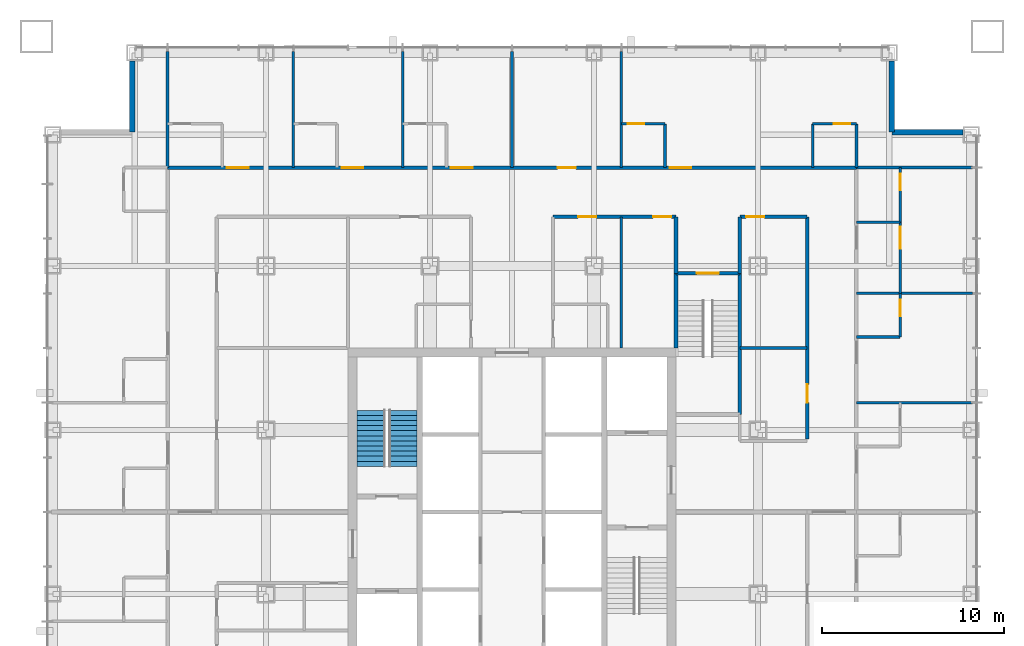
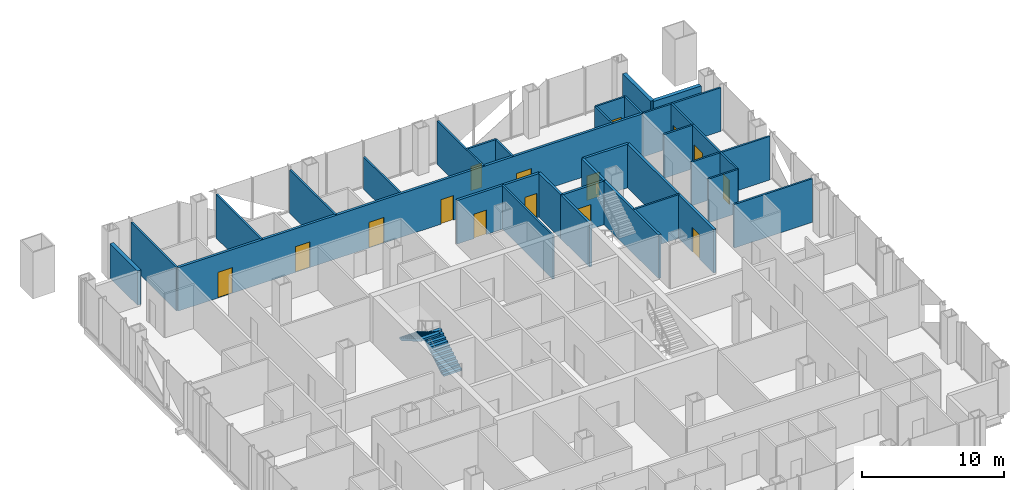
# One storey, part 11 of 17: 32 walls, 15 doors, 2 stair flights, 15 openings, 1 element without a shape of its own.
"""IFC4 building model written with IfcOpenShell, lengths in metres."""

from ifc_helpers import new_model, si_unit, direction, frame, frame_2d, origin, place, context, subcontext, project, spatial, polyline, rectangle, outline, extrude, material, layer, layer_set, type_object, element, fill, aggregate, save


model = new_model("IFC4")

# Units and contexts
model_context = context("Model", 3, precision=1e-05, world=origin(), true_north=direction((0.0, 1.0)))
body_context = subcontext(model_context, "Body", "Model", "MODEL_VIEW")
ifc_project = project(units=[si_unit("LENGTHUNIT", "METRE"), si_unit("AREAUNIT", "SQUARE_METRE"), si_unit("VOLUMEUNIT", "CUBIC_METRE"), si_unit("PLANEANGLEUNIT", "RADIAN"), si_unit("MASSUNIT", "GRAM", prefix="KILO")], contexts=[model_context])

# Site, building, storey
site_placement = place(None, origin())
site = spatial("IfcSite", under=ifc_project, at=site_placement, CompositionType="ELEMENT")
building_placement = place(site_placement, origin())
building = spatial("IfcBuilding", under=site, at=building_placement, Name="Malebo Sky Hospital", CompositionType="ELEMENT")
storey_placement = place(building_placement, frame((0.0, 0.0, 51.0)))
storey = spatial("IfcBuildingStorey", under=building, at=storey_placement, Name="L11", CompositionType="ELEMENT", Elevation=51.0)

# Wall, openings, doors
ifc_material_1 = material(Name="Gypsum board on steel studs", Category="steel")
ifc_layer_1 = layer(ifc_material_1, 0.199951171875)
ifc_layer_set_1 = layer_set([ifc_layer_1], Name="CORRIDOR WALL 200")
wall_type_1 = type_object("IfcWallType", Name="CORRIDOR WALL 200", PredefinedType="PARTITIONING", material=ifc_layer_set_1)
wall_1_placement = place(storey_placement, frame((41.10009765625, 80.89990234375, 0.0), z_axis=(0.0, 0.0, 1.0), x_axis=(1.0, 0.0, 0.0)))
wall_1 = element("IfcWall", 1, at=wall_1_placement, inside=storey, type_object=wall_type_1, Name="Corridor Wall 200 NCO", PredefinedType="PARTITIONING", context=body_context, shape_type="SweptSolid", body=[
    extrude(rectangle(XDim=37.7998046875, YDim=0.199951171875, at=frame_2d((18.89990234375, 0.0))), origin(), (0.0, 0.0, 1.0), 3.75),
])
opening_1_placement = place(wall_1_placement, frame((3.25, 0.0, 0.0)))
opening_1 = element("IfcOpeningElement", 2, at=opening_1_placement, cuts=wall_1, Name="Opening D01", PredefinedType="OPENING", context=body_context, shape_type="SweptSolid", body=[
    extrude(rectangle(XDim=1.199951171875, YDim=2.199951171875, at=frame_2d((0.60009765625, 1.10009765625))), frame((0.0, 0.10986328125, 0.0), z_axis=(0.0, -1.0, 0.0), x_axis=(1.0, 0.0, 0.0)), (0.0, 0.0, 1.0), 0.219970703125),
])
opening_2_placement = place(wall_1_placement, frame((9.550048828125, 0.0, 0.0)))
opening_2 = element("IfcOpeningElement", 3, at=opening_2_placement, cuts=wall_1, Name="Opening D01", PredefinedType="OPENING", context=body_context, shape_type="SweptSolid", body=[
    extrude(rectangle(XDim=1.199951171875, YDim=2.199951171875, at=frame_2d((0.60009765625, 1.10009765625))), frame((0.0, 0.10986328125, 0.0), z_axis=(0.0, -1.0, 0.0), x_axis=(1.0, 0.0, 0.0)), (0.0, 0.0, 1.0), 0.219970703125),
])
opening_3_placement = place(wall_1_placement, frame((15.550048828125, 0.0, 0.0)))
opening_3 = element("IfcOpeningElement", 4, at=opening_3_placement, cuts=wall_1, Name="Opening D01", PredefinedType="OPENING", context=body_context, shape_type="SweptSolid", body=[
    extrude(rectangle(XDim=1.199951171875, YDim=2.199951171875, at=frame_2d((0.60009765625, 1.10009765625))), frame((0.0, 0.10986328125, 0.0), z_axis=(0.0, -1.0, 0.0), x_axis=(1.0, 0.0, 0.0)), (0.0, 0.0, 1.0), 0.219970703125),
])
opening_4_placement = place(wall_1_placement, frame((21.39990234375, 0.0, 0.0)))
opening_4 = element("IfcOpeningElement", 5, at=opening_4_placement, cuts=wall_1, Name="Opening D03", PredefinedType="OPENING", context=body_context, shape_type="SweptSolid", body=[
    extrude(rectangle(XDim=1.0, YDim=2.10009765625, at=frame_2d((0.5, 1.050048828125))), frame((0.0, 0.10986328125, 0.0), z_axis=(0.0, -1.0, 0.0), x_axis=(1.0, 0.0, 0.0)), (0.0, 0.0, 1.0), 0.219970703125),
])
opening_5_placement = place(wall_1_placement, frame((27.550048828125, 0.0, 0.0)))
opening_5 = element("IfcOpeningElement", 6, at=opening_5_placement, cuts=wall_1, Name="Opening D01", PredefinedType="OPENING", context=body_context, shape_type="SweptSolid", body=[
    extrude(rectangle(XDim=1.199951171875, YDim=2.199951171875, at=frame_2d((0.60009765625, 1.10009765625))), frame((0.0, 0.10986328125, 0.0), z_axis=(0.0, -1.0, 0.0), x_axis=(1.0, 0.0, 0.0)), (0.0, 0.0, 1.0), 0.219970703125),
])
ifc_material_2 = material(Name="Hardwood-faced door leaf in steel frame", Category="steel")
door_type_1 = type_object("IfcDoorType", Name="BED DOOR 1200", OperationType="SINGLE_SWING_LEFT", PredefinedType="DOOR", material=ifc_material_2)
door_1_placement = place(opening_1_placement, origin())
door_1 = element("IfcDoor", 7, at=door_1_placement, inside=storey, type_object=door_type_1, Name="Two-bed room door", OperationType="SINGLE_SWING_LEFT", OverallHeight=2.199951171875, OverallWidth=1.199951171875, PredefinedType="DOOR", context=body_context, shape_type="SweptSolid", body=[
    extrude(rectangle(XDim=1.199951171875, YDim=2.199951171875, at=frame_2d((0.60009765625, 1.10009765625))), frame((0.0, 0.02490234375, 0.0), z_axis=(0.0, -1.0, 0.0), x_axis=(1.0, 0.0, 0.0)), (0.0, 0.0, 1.0), 0.050048828125),
])
fill(opening_1, door_1)
door_2_placement = place(opening_2_placement, origin())
door_2 = element("IfcDoor", 8, at=door_2_placement, inside=storey, type_object=door_type_1, Name="Two-bed room door", OperationType="SINGLE_SWING_LEFT", OverallHeight=2.199951171875, OverallWidth=1.199951171875, PredefinedType="DOOR", context=body_context, shape_type="SweptSolid", body=[
    extrude(rectangle(XDim=1.199951171875, YDim=2.199951171875, at=frame_2d((0.60009765625, 1.10009765625))), frame((0.0, 0.02490234375, 0.0), z_axis=(0.0, -1.0, 0.0), x_axis=(1.0, 0.0, 0.0)), (0.0, 0.0, 1.0), 0.050048828125),
])
fill(opening_2, door_2)
door_3_placement = place(opening_3_placement, origin())
door_3 = element("IfcDoor", 9, at=door_3_placement, inside=storey, type_object=door_type_1, Name="Two-bed room door", OperationType="SINGLE_SWING_LEFT", OverallHeight=2.199951171875, OverallWidth=1.199951171875, PredefinedType="DOOR", context=body_context, shape_type="SweptSolid", body=[
    extrude(rectangle(XDim=1.199951171875, YDim=2.199951171875, at=frame_2d((0.60009765625, 1.10009765625))), frame((0.0, 0.02490234375, 0.0), z_axis=(0.0, -1.0, 0.0), x_axis=(1.0, 0.0, 0.0)), (0.0, 0.0, 1.0), 0.050048828125),
])
fill(opening_3, door_3)
door_4_placement = place(opening_5_placement, origin())
door_4 = element("IfcDoor", 10, at=door_4_placement, inside=storey, type_object=door_type_1, Name="Four-bed bay door", OperationType="SINGLE_SWING_LEFT", OverallHeight=2.199951171875, OverallWidth=1.199951171875, PredefinedType="DOOR", context=body_context, shape_type="SweptSolid", body=[
    extrude(rectangle(XDim=1.199951171875, YDim=2.199951171875, at=frame_2d((0.60009765625, 1.10009765625))), frame((0.0, 0.02490234375, 0.0), z_axis=(0.0, -1.0, 0.0), x_axis=(1.0, 0.0, 0.0)), (0.0, 0.0, 1.0), 0.050048828125),
])
fill(opening_5, door_4)
door_type_2 = type_object("IfcDoorType", Name="ROOM DOOR 1000", OperationType="SINGLE_SWING_LEFT", PredefinedType="DOOR", material=ifc_material_2)
door_5_placement = place(opening_4_placement, origin())
door_5 = element("IfcDoor", 11, at=door_5_placement, inside=storey, type_object=door_type_2, Name="Patient day room door", OperationType="SINGLE_SWING_LEFT", OverallHeight=2.10009765625, OverallWidth=1.0, PredefinedType="DOOR", context=body_context, shape_type="SweptSolid", body=[
    extrude(rectangle(XDim=1.0, YDim=2.10009765625, at=frame_2d((0.5, 1.050048828125))), frame((0.0, 0.02490234375, 0.0), z_axis=(0.0, -1.0, 0.0), x_axis=(1.0, 0.0, 0.0)), (0.0, 0.0, 1.0), 0.050048828125),
])
fill(opening_4, door_5)

wall_2_placement = place(storey_placement, frame((62.25, 78.199951171875, 0.0), z_axis=(0.0, 0.0, 1.0), x_axis=(1.0, 0.0, 0.0)))
wall_2 = element("IfcWall", 12, at=wall_2_placement, inside=storey, type_object=wall_type_1, Name="Corridor Wall 200 NCI2", PredefinedType="PARTITIONING", context=body_context, shape_type="SweptSolid", body=[
    extrude(rectangle(XDim=6.75, YDim=0.199951171875, at=frame_2d((3.375, 0.0))), origin(), (0.0, 0.0, 1.0), 3.75),
])
opening_6_placement = place(wall_2_placement, frame((1.375, 0.0, 0.0)))
opening_6 = element("IfcOpeningElement", 13, at=opening_6_placement, cuts=wall_2, Name="Opening D03", PredefinedType="OPENING", context=body_context, shape_type="SweptSolid", body=[
    extrude(rectangle(XDim=1.0, YDim=2.10009765625, at=frame_2d((0.5, 1.050048828125))), frame((0.0, 0.10986328125, 0.0), z_axis=(0.0, -1.0, 0.0), x_axis=(1.0, 0.0, 0.0)), (0.0, 0.0, 1.0), 0.219970703125),
])
opening_7_placement = place(wall_2_placement, frame((5.5, 0.0, 0.0)))
opening_7 = element("IfcOpeningElement", 14, at=opening_7_placement, cuts=wall_2, Name="Opening D03", PredefinedType="OPENING", context=body_context, shape_type="SweptSolid", body=[
    extrude(rectangle(XDim=1.0, YDim=2.10009765625, at=frame_2d((0.5, 1.050048828125))), frame((0.0, 0.10986328125, 0.0), z_axis=(0.0, -1.0, 0.0), x_axis=(1.0, 0.0, 0.0)), (0.0, 0.0, 1.0), 0.219970703125),
])
door_6_placement = place(opening_6_placement, origin())
door_6 = element("IfcDoor", 15, at=door_6_placement, inside=storey, type_object=door_type_2, Name="Equipment store door", OperationType="SINGLE_SWING_LEFT", OverallHeight=2.10009765625, OverallWidth=1.0, PredefinedType="DOOR", context=body_context, shape_type="SweptSolid", body=[
    extrude(rectangle(XDim=1.0, YDim=2.10009765625, at=frame_2d((0.5, 1.050048828125))), frame((0.0, 0.02490234375, 0.0), z_axis=(0.0, -1.0, 0.0), x_axis=(1.0, 0.0, 0.0)), (0.0, 0.0, 1.0), 0.050048828125),
])
fill(opening_6, door_6)
door_7_placement = place(opening_7_placement, origin())
door_7 = element("IfcDoor", 16, at=door_7_placement, inside=storey, type_object=door_type_2, Name="Clean utility room door", OperationType="SINGLE_SWING_RIGHT", OverallHeight=2.10009765625, OverallWidth=1.0, PredefinedType="DOOR", context=body_context, shape_type="SweptSolid", body=[
    extrude(rectangle(XDim=1.0, YDim=2.10009765625, at=frame_2d((0.5, 1.050048828125))), frame((0.0, 0.02490234375, 0.0), z_axis=(0.0, -1.0, 0.0), x_axis=(1.0, 0.0, 0.0)), (0.0, 0.0, 1.0), 0.050048828125),
])
fill(opening_7, door_7)

# Wall, opening, door
wall_3_placement = place(storey_placement, frame((72.5, 78.199951171875, 0.0), z_axis=(0.0, 0.0, 1.0), x_axis=(1.0, 0.0, 0.0)))
wall_3 = element("IfcWall", 17, at=wall_3_placement, inside=storey, type_object=wall_type_1, Name="Corridor Wall 200 NCI2/2", PredefinedType="PARTITIONING", context=body_context, shape_type="SweptSolid", body=[
    extrude(rectangle(XDim=3.699951171875, YDim=0.199951171875, at=frame_2d((1.85009765625, 0.0))), origin(), (0.0, 0.0, 1.0), 3.75),
])
opening_8_placement = place(wall_3_placement, frame((0.35009765625, 0.0, 0.0)))
opening_8 = element("IfcOpeningElement", 18, at=opening_8_placement, cuts=wall_3, Name="Opening D03", PredefinedType="OPENING", context=body_context, shape_type="SweptSolid", body=[
    extrude(rectangle(XDim=1.0, YDim=2.10009765625, at=frame_2d((0.5, 1.050048828125))), frame((0.0, 0.10986328125, 0.0), z_axis=(0.0, -1.0, 0.0), x_axis=(1.0, 0.0, 0.0)), (0.0, 0.0, 1.0), 0.219970703125),
])
door_8_placement = place(opening_8_placement, origin())
door_8 = element("IfcDoor", 19, at=door_8_placement, inside=storey, type_object=door_type_2, Name="Staff base door", OperationType="SINGLE_SWING_LEFT", OverallHeight=2.10009765625, OverallWidth=1.0, PredefinedType="DOOR", context=body_context, shape_type="SweptSolid", body=[
    extrude(rectangle(XDim=1.0, YDim=2.10009765625, at=frame_2d((0.5, 1.050048828125))), frame((0.0, 0.02490234375, 0.0), z_axis=(0.0, -1.0, 0.0), x_axis=(1.0, 0.0, 0.0)), (0.0, 0.0, 1.0), 0.050048828125),
])
fill(opening_8, door_8)

wall_4_placement = place(storey_placement, frame((76.199951171875, 78.199951171875, 0.0), z_axis=(0.0, 0.0, 1.0), x_axis=(0.0, -1.0, 0.0)))
wall_4 = element("IfcWall", 20, at=wall_4_placement, inside=storey, type_object=wall_type_1, Name="Corridor Wall 200 ECI1", PredefinedType="PARTITIONING", context=body_context, shape_type="SweptSolid", body=[
    extrude(rectangle(XDim=12.199951171875, YDim=0.199951171875, at=frame_2d((6.10009765625, 0.0))), origin(), (0.0, 0.0, 1.0), 3.75),
])
opening_9_placement = place(wall_4_placement, frame((9.199951171875, 0.0, 0.0)))
opening_9 = element("IfcOpeningElement", 21, at=opening_9_placement, cuts=wall_4, Name="Opening D03", PredefinedType="OPENING", context=body_context, shape_type="SweptSolid", body=[
    extrude(rectangle(XDim=1.0, YDim=2.10009765625, at=frame_2d((0.5, 1.050048828125))), frame((0.0, 0.10986328125, 0.0), z_axis=(0.0, -1.0, 0.0), x_axis=(1.0, 0.0, 0.0)), (0.0, 0.0, 1.0), 0.219970703125),
])
door_9_placement = place(opening_9_placement, origin())
door_9 = element("IfcDoor", 22, at=door_9_placement, inside=storey, type_object=door_type_2, Name="Discharge lounge door", OperationType="SINGLE_SWING_LEFT", OverallHeight=2.10009765625, OverallWidth=1.0, PredefinedType="DOOR", context=body_context, shape_type="SweptSolid", body=[
    extrude(rectangle(XDim=1.0, YDim=2.10009765625, at=frame_2d((0.5, 1.050048828125))), frame((0.0, 0.02490234375, 0.0), z_axis=(0.0, -1.0, 0.0), x_axis=(1.0, 0.0, 0.0)), (0.0, 0.0, 1.0), 0.050048828125),
])
fill(opening_9, door_9)

# Walls
for number, where, z_axis, x_axis, name in (
    (23, (69.0, 75.10009765625, 0.0), (0.0, 0.0, 1.0), (0.0, 1.0, 0.0), "Corridor Wall 200 ST3AW"),
    (24, (72.5, 75.10009765625, 0.0), (0.0, 0.0, 1.0), (0.0, 1.0, 0.0), "Corridor Wall 200 ST3AE"),
):
    element("IfcWall", number, at=place(storey_placement, frame(where, z_axis=z_axis, x_axis=x_axis)), inside=storey, type_object=wall_type_1, Name=name, PredefinedType="PARTITIONING", context=body_context, shape_type="SweptSolid", body=[
        extrude(rectangle(XDim=3.099853515625, YDim=0.199951171875, at=frame_2d((1.5498046875, 0.0))), origin(), (0.0, 0.0, 1.0), 3.75),
    ])
ifc_material_3 = material(Name="Anodised aluminium rainscreen on steel framing", Category="steel")
ifc_layer_2 = layer(ifc_material_3, 0.300048828125)
ifc_layer_set_2 = layer_set([ifc_layer_2], Name="NOTCH RAINSCREEN WALL 300")
wall_type_2 = type_object("IfcWallType", Name="NOTCH RAINSCREEN WALL 300", PredefinedType="ELEMENTEDWALL", material=ifc_layer_set_2)
for number, where, z_axis, x_axis, name in (
    (25, (80.85009765625, 86.75, 0.0), (0.0, 0.0, 1.0), (0.0, -1.0, 0.0), "Notch rainscreen wall N1 L11"),
    (26, (80.85009765625, 82.85009765625, 0.0), (0.0, 0.0, 1.0), (1.0, 0.0, 0.0), "Notch rainscreen wall N2 L11"),
    (27, (39.14990234375, 82.85009765625, 0.0), (0.0, 0.0, 1.0), (0.0, 1.0, 0.0), "Notch rainscreen wall W2 L11"),
):
    element("IfcWall", number, at=place(storey_placement, frame(where, z_axis=z_axis, x_axis=x_axis)), inside=storey, type_object=wall_type_2, Name=name, PredefinedType="ELEMENTEDWALL", context=body_context, shape_type="SweptSolid", body=[
        extrude(rectangle(XDim=3.89990234375, YDim=0.300048828125, at=frame_2d((1.949951171875, 0.0))), origin(), (0.0, 0.0, 1.0), 2.949951171875),
    ])
ifc_layer_3 = layer(ifc_material_1, 0.14990234375)
ifc_layer_set_3 = layer_set([ifc_layer_3], Name="PARTITION 150")
wall_type_3 = type_object("IfcWallType", Name="PARTITION 150", PredefinedType="PARTITIONING", material=ifc_layer_set_3)
for number, where, z_axis, x_axis, name in (
    (28, (48.0, 80.89990234375, 0.0), (0.0, 0.0, 1.0), (0.0, 1.0, 0.0), "Partition 150 NP-12.0"),
    (29, (54.0, 80.89990234375, 0.0), (0.0, 0.0, 1.0), (0.0, 1.0, 0.0), "Partition 150 NP-6.0"),
):
    element("IfcWall", number, at=place(storey_placement, frame(where, z_axis=z_axis, x_axis=x_axis)), inside=storey, type_object=wall_type_3, Name=name, PredefinedType="PARTITIONING", context=body_context, shape_type="SweptSolid", body=[
        extrude(rectangle(XDim=6.375, YDim=0.14990234375, at=frame_2d((3.1875, 0.0))), origin(), (0.0, 0.0, 1.0), 3.75),
    ])
wall_5_placement = place(storey_placement, frame((60.0, 80.89990234375, 0.0), z_axis=(0.0, 0.0, 1.0), x_axis=(0.0, 1.0, 0.0)))
element("IfcWall", 30, at=wall_5_placement, inside=storey, type_object=wall_type_3, Name="Partition 150 NP+0.0", PredefinedType="PARTITIONING", context=body_context, shape_type="SweptSolid", body=[
    extrude(rectangle(XDim=6.375, YDim=0.14990234375, at=frame_2d((3.1875, 0.0))), origin(), (0.0, 0.0, 1.0), 2.75),
])
for number, where, z_axis, x_axis, name in (
    (31, (66.0, 80.89990234375, 0.0), (0.0, 0.0, 1.0), (0.0, 1.0, 0.0), "Partition 150 NP+6.0"),
    (32, (41.10009765625, 80.89990234375, 0.0), (0.0, 0.0, 1.0), (0.0, 1.0, 0.0), "Partition 150 NP0"),
):
    element("IfcWall", number, at=place(storey_placement, frame(where, z_axis=z_axis, x_axis=x_axis)), inside=storey, type_object=wall_type_3, Name=name, PredefinedType="PARTITIONING", context=body_context, shape_type="SweptSolid", body=[
        extrude(rectangle(XDim=6.375, YDim=0.14990234375, at=frame_2d((3.1875, 0.0))), origin(), (0.0, 0.0, 1.0), 3.75),
    ])

# Wall, opening, door
wall_6_placement = place(storey_placement, frame((66.0, 83.300048828125, 0.0), z_axis=(0.0, 0.0, 1.0), x_axis=(1.0, 0.0, 0.0)))
wall_6 = element("IfcWall", 33, at=wall_6_placement, inside=storey, type_object=wall_type_3, Name="Partition 150 NE4F", PredefinedType="PARTITIONING", context=body_context, shape_type="SweptSolid", body=[
    extrude(rectangle(XDim=2.39990234375, YDim=0.14990234375, at=frame_2d((1.199951171875, 0.0))), origin(), (0.0, 0.0, 1.0), 3.75),
])
opening_10_placement = place(wall_6_placement, frame((0.35009765625, 0.0, 0.0)))
opening_10 = element("IfcOpeningElement", 34, at=opening_10_placement, cuts=wall_6, Name="Opening D02", PredefinedType="OPENING", context=body_context, shape_type="SweptSolid", body=[
    extrude(rectangle(XDim=0.89990234375, YDim=2.10009765625, at=frame_2d((0.449951171875, 1.050048828125))), frame((0.0, 0.0849609375, 0.0), z_axis=(0.0, -1.0, 0.0), x_axis=(1.0, 0.0, 0.0)), (0.0, 0.0, 1.0), 0.169921875),
])
door_type_3 = type_object("IfcDoorType", Name="EN-SUITE DOOR 900", OperationType="SINGLE_SWING_LEFT", PredefinedType="DOOR", material=ifc_material_2)
door_10_placement = place(opening_10_placement, origin())
door_10 = element("IfcDoor", 35, at=door_10_placement, inside=storey, type_object=door_type_3, Name="En-suite door", OperationType="SINGLE_SWING_LEFT", OverallHeight=2.10009765625, OverallWidth=0.89990234375, PredefinedType="DOOR", context=body_context, shape_type="SweptSolid", body=[
    extrude(rectangle(XDim=0.89990234375, YDim=2.10009765625, at=frame_2d((0.449951171875, 1.050048828125))), frame((0.0, 0.02490234375, 0.0), z_axis=(0.0, -1.0, 0.0), x_axis=(1.0, 0.0, 0.0)), (0.0, 0.0, 1.0), 0.050048828125),
])
fill(opening_10, door_10)

# Wall
wall_7_placement = place(storey_placement, frame((68.39990234375, 80.89990234375, 0.0), z_axis=(0.0, 0.0, 1.0), x_axis=(0.0, 1.0, 0.0)))
element("IfcWall", 36, at=wall_7_placement, inside=storey, type_object=wall_type_3, Name="Partition 150 NE4S", PredefinedType="PARTITIONING", context=body_context, shape_type="SweptSolid", body=[
    extrude(rectangle(XDim=2.400146484375, YDim=0.14990234375, at=frame_2d((1.2001953125, 0.0))), origin(), (0.0, 0.0, 1.0), 3.75),
])

# Wall, opening, door
wall_8_placement = place(storey_placement, frame((76.5, 83.300048828125, 0.0), z_axis=(0.0, 0.0, 1.0), x_axis=(1.0, 0.0, 0.0)))
wall_8 = element("IfcWall", 37, at=wall_8_placement, inside=storey, type_object=wall_type_3, Name="Partition 150 NG4F", PredefinedType="PARTITIONING", context=body_context, shape_type="SweptSolid", body=[
    extrude(rectangle(XDim=2.39990234375, YDim=0.14990234375, at=frame_2d((1.199951171875, 0.0))), origin(), (0.0, 0.0, 1.0), 3.75),
])
opening_11_placement = place(wall_8_placement, frame((1.14990234375, 0.0, 0.0)))
opening_11 = element("IfcOpeningElement", 38, at=opening_11_placement, cuts=wall_8, Name="Opening D02", PredefinedType="OPENING", context=body_context, shape_type="SweptSolid", body=[
    extrude(rectangle(XDim=0.89990234375, YDim=2.10009765625, at=frame_2d((0.449951171875, 1.050048828125))), frame((0.0, 0.0849609375, 0.0), z_axis=(0.0, -1.0, 0.0), x_axis=(1.0, 0.0, 0.0)), (0.0, 0.0, 1.0), 0.169921875),
])
door_11_placement = place(opening_11_placement, origin())
door_11 = element("IfcDoor", 39, at=door_11_placement, inside=storey, type_object=door_type_3, Name="En-suite door", OperationType="SINGLE_SWING_RIGHT", OverallHeight=2.10009765625, OverallWidth=0.89990234375, PredefinedType="DOOR", context=body_context, shape_type="SweptSolid", body=[
    extrude(rectangle(XDim=0.89990234375, YDim=2.10009765625, at=frame_2d((0.449951171875, 1.050048828125))), frame((0.0, 0.02490234375, 0.0), z_axis=(0.0, -1.0, 0.0), x_axis=(1.0, 0.0, 0.0)), (0.0, 0.0, 1.0), 0.050048828125),
])
fill(opening_11, door_11)

# Walls
for number, where, z_axis, x_axis, name in (
    (40, (76.5, 80.89990234375, 0.0), (0.0, 0.0, 1.0), (0.0, 1.0, 0.0), "Partition 150 NG4S"),
    (41, (78.89990234375, 80.89990234375, 0.0), (0.0, 0.0, 1.0), (0.0, 1.0, 0.0), "Partition 150 NEZ"),
):
    element("IfcWall", number, at=place(storey_placement, frame(where, z_axis=z_axis, x_axis=x_axis)), inside=storey, type_object=wall_type_3, Name=name, PredefinedType="PARTITIONING", context=body_context, shape_type="SweptSolid", body=[
        extrude(rectangle(XDim=2.400146484375, YDim=0.14990234375, at=frame_2d((1.2001953125, 0.0))), origin(), (0.0, 0.0, 1.0), 3.75),
    ])
wall_9_placement = place(storey_placement, frame((66.0, 71.0, 0.0), z_axis=(0.0, 0.0, 1.0), x_axis=(0.0, 1.0, 0.0)))
element("IfcWall", 42, at=wall_9_placement, inside=storey, type_object=wall_type_3, Name="Partition 150 NSP+6.0", PredefinedType="PARTITIONING", context=body_context, shape_type="SweptSolid", body=[
    extrude(rectangle(XDim=7.199951171875, YDim=0.14990234375, at=frame_2d((3.60009765625, 0.0))), origin(), (0.0, 0.0, 1.0), 3.75),
])
for number, where, z_axis, x_axis, name in (
    (43, (78.89990234375, 74.0, 0.0), (0.0, 0.0, 1.0), (1.0, 0.0, 0.0), "Partition 150 EP-12.0"),
    (44, (78.89990234375, 68.0, 0.0), (0.0, 0.0, 1.0), (1.0, 0.0, 0.0), "Partition 150 EP-6.0"),
    (45, (78.89990234375, 80.89990234375, 0.0), (0.0, 0.0, 1.0), (1.0, 0.0, 0.0), "Partition 150 EP0"),
):
    element("IfcWall", number, at=place(storey_placement, frame(where, z_axis=z_axis, x_axis=x_axis)), inside=storey, type_object=wall_type_3, Name=name, PredefinedType="PARTITIONING", context=body_context, shape_type="SweptSolid", body=[
        extrude(rectangle(XDim=6.375, YDim=0.14990234375, at=frame_2d((3.1875, 0.0))), origin(), (0.0, 0.0, 1.0), 3.75),
    ])

# Wall, opening, door
wall_10_placement = place(storey_placement, frame((81.300048828125, 80.89990234375, 0.0), z_axis=(0.0, 0.0, 1.0), x_axis=(0.0, -1.0, 0.0)))
wall_10 = element("IfcWall", 46, at=wall_10_placement, inside=storey, type_object=wall_type_3, Name="Partition 150 EE0F", PredefinedType="PARTITIONING", context=body_context, shape_type="SweptSolid", body=[
    extrude(rectangle(XDim=3.0, YDim=0.14990234375, at=frame_2d((1.5, 0.0))), origin(), (0.0, 0.0, 1.0), 3.75),
])
opening_12_placement = place(wall_10_placement, frame((0.35009765625, 0.0, 0.0)))
opening_12 = element("IfcOpeningElement", 47, at=opening_12_placement, cuts=wall_10, Name="Opening D02", PredefinedType="OPENING", context=body_context, shape_type="SweptSolid", body=[
    extrude(rectangle(XDim=0.89990234375, YDim=2.10009765625, at=frame_2d((0.449951171875, 1.050048828125))), frame((0.0, 0.0849609375, 0.0), z_axis=(0.0, -1.0, 0.0), x_axis=(1.0, 0.0, 0.0)), (0.0, 0.0, 1.0), 0.169921875),
])
door_12_placement = place(opening_12_placement, origin())
door_12 = element("IfcDoor", 48, at=door_12_placement, inside=storey, type_object=door_type_3, Name="En-suite door", OperationType="SINGLE_SWING_LEFT", OverallHeight=2.10009765625, OverallWidth=0.89990234375, PredefinedType="DOOR", context=body_context, shape_type="SweptSolid", body=[
    extrude(rectangle(XDim=0.89990234375, YDim=2.10009765625, at=frame_2d((0.449951171875, 1.050048828125))), frame((0.0, 0.02490234375, 0.0), z_axis=(0.0, -1.0, 0.0), x_axis=(1.0, 0.0, 0.0)), (0.0, 0.0, 1.0), 0.050048828125),
])
fill(opening_12, door_12)

# Wall
wall_11_placement = place(storey_placement, frame((78.89990234375, 77.89990234375, 0.0), z_axis=(0.0, 0.0, 1.0), x_axis=(1.0, 0.0, 0.0)))
element("IfcWall", 49, at=wall_11_placement, inside=storey, type_object=wall_type_3, Name="Partition 150 EE0S", PredefinedType="PARTITIONING", context=body_context, shape_type="SweptSolid", body=[
    extrude(rectangle(XDim=2.400146484375, YDim=0.14990234375, at=frame_2d((1.2001953125, 0.0))), origin(), (0.0, 0.0, 1.0), 3.75),
])

# Wall, opening, door
wall_12_placement = place(storey_placement, frame((81.300048828125, 74.0, 0.0), z_axis=(0.0, 0.0, 1.0), x_axis=(0.0, -1.0, 0.0)))
wall_12 = element("IfcWall", 50, at=wall_12_placement, inside=storey, type_object=wall_type_3, Name="Partition 150 EE1F", PredefinedType="PARTITIONING", context=body_context, shape_type="SweptSolid", body=[
    extrude(rectangle(XDim=2.39990234375, YDim=0.14990234375, at=frame_2d((1.199951171875, 0.0))), origin(), (0.0, 0.0, 1.0), 3.75),
])
opening_13_placement = place(wall_12_placement, frame((0.35009765625, 0.0, 0.0)))
opening_13 = element("IfcOpeningElement", 51, at=opening_13_placement, cuts=wall_12, Name="Opening D02", PredefinedType="OPENING", context=body_context, shape_type="SweptSolid", body=[
    extrude(rectangle(XDim=0.89990234375, YDim=2.10009765625, at=frame_2d((0.449951171875, 1.050048828125))), frame((0.0, 0.0849609375, 0.0), z_axis=(0.0, -1.0, 0.0), x_axis=(1.0, 0.0, 0.0)), (0.0, 0.0, 1.0), 0.169921875),
])
door_13_placement = place(opening_13_placement, origin())
door_13 = element("IfcDoor", 52, at=door_13_placement, inside=storey, type_object=door_type_3, Name="En-suite door", OperationType="SINGLE_SWING_LEFT", OverallHeight=2.10009765625, OverallWidth=0.89990234375, PredefinedType="DOOR", context=body_context, shape_type="SweptSolid", body=[
    extrude(rectangle(XDim=0.89990234375, YDim=2.10009765625, at=frame_2d((0.449951171875, 1.050048828125))), frame((0.0, 0.02490234375, 0.0), z_axis=(0.0, -1.0, 0.0), x_axis=(1.0, 0.0, 0.0)), (0.0, 0.0, 1.0), 0.050048828125),
])
fill(opening_13, door_13)

# Walls
wall_13_placement = place(storey_placement, frame((78.89990234375, 71.60009765625, 0.0), z_axis=(0.0, 0.0, 1.0), x_axis=(1.0, 0.0, 0.0)))
element("IfcWall", 53, at=wall_13_placement, inside=storey, type_object=wall_type_3, Name="Partition 150 EE1S", PredefinedType="PARTITIONING", context=body_context, shape_type="SweptSolid", body=[
    extrude(rectangle(XDim=2.400146484375, YDim=0.14990234375, at=frame_2d((1.2001953125, 0.0))), origin(), (0.0, 0.0, 1.0), 3.75),
])
wall_14_placement = place(storey_placement, frame((72.5, 71.0, 0.0), z_axis=(0.0, 0.0, 1.0), x_axis=(1.0, 0.0, 0.0)))
element("IfcWall", 54, at=wall_14_placement, inside=storey, type_object=wall_type_3, Name="Partition 150 ESP0", PredefinedType="PARTITIONING", context=body_context, shape_type="SweptSolid", body=[
    extrude(rectangle(XDim=3.699951171875, YDim=0.14990234375, at=frame_2d((1.85009765625, 0.0))), origin(), (0.0, 0.0, 1.0), 3.75),
])

# Wall, opening, door
ifc_material_4 = material(Name="Sealed gypsum board on steel studs, taped to the slab", Category="steel")
ifc_layer_4 = layer(ifc_material_4, 0.14990234375)
ifc_layer_set_4 = layer_set([ifc_layer_4], Name="SEALED ISOLATION PARTITION 150")
wall_type_4 = type_object("IfcWallType", Name="SEALED ISOLATION PARTITION 150", PredefinedType="PARTITIONING", material=ifc_layer_set_4)
wall_15_placement = place(storey_placement, frame((81.300048828125, 77.89990234375, 0.0), z_axis=(0.0, 0.0, 1.0), x_axis=(0.0, -1.0, 0.0)))
wall_15 = element("IfcWall", 55, at=wall_15_placement, inside=storey, type_object=wall_type_4, Name="Sealed Isolation Partition 150 EA0F", PredefinedType="PARTITIONING", context=body_context, shape_type="SweptSolid", body=[
    extrude(rectangle(XDim=3.89990234375, YDim=0.14990234375, at=frame_2d((1.949951171875, 0.0))), origin(), (0.0, 0.0, 1.0), 3.75),
])
opening_14_placement = place(wall_15_placement, frame((0.25, 0.0, 0.0)))
opening_14 = element("IfcOpeningElement", 56, at=opening_14_placement, cuts=wall_15, Name="Opening D19", PredefinedType="OPENING", context=body_context, shape_type="SweptSolid", body=[
    extrude(rectangle(XDim=1.199951171875, YDim=2.199951171875, at=frame_2d((0.60009765625, 1.10009765625))), frame((0.0, 0.0849609375, 0.0), z_axis=(0.0, -1.0, 0.0), x_axis=(1.0, 0.0, 0.0)), (0.0, 0.0, 1.0), 0.169921875),
])
ifc_material_5 = material(Name="Hardwood-faced door leaf with perimeter seals in steel frame", Category="steel")
door_type_4 = type_object("IfcDoorType", Name="SEALED ISOLATION ROOM DOOR 1200", OperationType="SINGLE_SWING_LEFT", PredefinedType="DOOR", material=ifc_material_5)
door_14_placement = place(opening_14_placement, origin())
door_14 = element("IfcDoor", 57, at=door_14_placement, inside=storey, type_object=door_type_4, Name="Isolation room door", OperationType="SINGLE_SWING_LEFT", OverallHeight=2.199951171875, OverallWidth=1.199951171875, PredefinedType="DOOR", context=body_context, shape_type="SweptSolid", body=[
    extrude(rectangle(XDim=1.199951171875, YDim=2.199951171875, at=frame_2d((0.60009765625, 1.10009765625))), frame((0.0, 0.02490234375, 0.0), z_axis=(0.0, -1.0, 0.0), x_axis=(1.0, 0.0, 0.0)), (0.0, 0.0, 1.0), 0.050048828125),
])
fill(opening_14, door_14)

# Walls
ifc_material_6 = material(Name="Concrete C40/50", Category="concrete")
ifc_layer_5 = layer(ifc_material_6, 0.199951171875)
ifc_layer_set_5 = layer_set([ifc_layer_5], Name="STAIR ENCLOSURE WALL 200")
wall_type_5 = type_object("IfcWallType", Name="STAIR ENCLOSURE WALL 200", PredefinedType="SOLIDWALL", material=ifc_layer_set_5)
wall_16_placement = place(storey_placement, frame((69.0, 71.0, 0.0), z_axis=(0.0, 0.0, 1.0), x_axis=(0.0, 1.0, 0.0)))
element("IfcWall", 58, at=wall_16_placement, inside=storey, type_object=wall_type_5, Name="Stair Enclosure Wall 200 ST3W", PredefinedType="SOLIDWALL", context=body_context, shape_type="SweptSolid", body=[
    extrude(rectangle(XDim=4.10009765625, YDim=0.199951171875, at=frame_2d((2.050048828125, 0.0))), origin(), (0.0, 0.0, 1.0), 3.75),
])
wall_17_placement = place(storey_placement, frame((72.5, 67.35009765625, 0.0), z_axis=(0.0, 0.0, 1.0), x_axis=(0.0, 1.0, 0.0)))
element("IfcWall", 59, at=wall_17_placement, inside=storey, type_object=wall_type_5, Name="Stair Enclosure Wall 200 ST3E", PredefinedType="SOLIDWALL", context=body_context, shape_type="SweptSolid", body=[
    extrude(rectangle(XDim=7.75, YDim=0.199951171875, at=frame_2d((3.875, 0.0))), origin(), (0.0, 0.0, 1.0), 3.75),
])

# Wall, opening, door
wall_18_placement = place(storey_placement, frame((69.0, 75.10009765625, 0.0), z_axis=(0.0, 0.0, 1.0), x_axis=(1.0, 0.0, 0.0)))
wall_18 = element("IfcWall", 60, at=wall_18_placement, inside=storey, type_object=wall_type_5, Name="Stair Enclosure Wall 200 ST3N", PredefinedType="SOLIDWALL", context=body_context, shape_type="SweptSolid", body=[
    extrude(rectangle(XDim=3.5, YDim=0.199951171875, at=frame_2d((1.75, 0.0))), origin(), (0.0, 0.0, 1.0), 3.75),
])
opening_15_placement = place(wall_18_placement, frame((1.14990234375, 0.0, 0.0)))
opening_15 = element("IfcOpeningElement", 61, at=opening_15_placement, cuts=wall_18, Name="Opening D08", PredefinedType="OPENING", context=body_context, shape_type="SweptSolid", body=[
    extrude(rectangle(XDim=1.199951171875, YDim=2.10009765625, at=frame_2d((0.60009765625, 1.050048828125))), frame((0.0, 0.10986328125, 0.0), z_axis=(0.0, -1.0, 0.0), x_axis=(1.0, 0.0, 0.0)), (0.0, 0.0, 1.0), 0.219970703125),
])
door_type_5 = type_object("IfcDoorType", Name="STAIR DOOR 1200", OperationType="SINGLE_SWING_LEFT", PredefinedType="DOOR", material=ifc_material_2)
door_15_placement = place(opening_15_placement, origin())
door_15 = element("IfcDoor", 62, at=door_15_placement, inside=storey, type_object=door_type_5, Name="Stair S3 door", OperationType="SINGLE_SWING_LEFT", OverallHeight=2.10009765625, OverallWidth=1.199951171875, PredefinedType="DOOR", context=body_context, shape_type="SweptSolid", body=[
    extrude(rectangle(XDim=1.199951171875, YDim=2.10009765625, at=frame_2d((0.60009765625, 1.050048828125))), frame((0.0, 0.02490234375, 0.0), z_axis=(0.0, -1.0, 0.0), x_axis=(1.0, 0.0, 0.0)), (0.0, 0.0, 1.0), 0.050048828125),
])
fill(opening_15, door_15)

# Stair, stair flights
stair_type = type_object("IfcStairType", Name="HALF-TURN STAIR 1500 R167", PredefinedType="HALF_TURN_STAIR", material=ifc_material_6)
stair_placement = place(storey_placement, origin())
stair = element("IfcStair", 63, at=stair_placement, inside=storey, type_object=stair_type, Name="Stair S1 L11 type ST1", PredefinedType="HALF_TURN_STAIR")
stair_flight_type = type_object("IfcStairFlightType", Name="STAIR FLIGHT 1500 R167", PredefinedType="STRAIGHT", material=ifc_material_6)
stair_flight_1_placement = place(storey_placement, frame((54.050048828125, 64.5, 0.0), z_axis=(0.0, 0.0, 1.0), x_axis=(0.0, 1.0, 0.0)))
stair_flight_1 = element("IfcStairFlight", 64, at=stair_flight_1_placement, type_object=stair_flight_type, Name="S1 flight 1 type SF1", NumberOfRisers=12, NumberOfTreads=11, PredefinedType="STRAIGHT", RiserHeight=0.166666667, TreadLength=0.28, context=body_context, shape_type="SweptSolid", body=[
    extrude(outline(polyline([(0.0, 0.0), (0.0, 0.166748046875), (0.280029296875, 0.166748046875), (0.280029296875, 0.333251953125), (0.56005859375, 0.333251953125), (0.56005859375, 0.5), (0.840087890625, 0.5), (0.840087890625, 0.666748046875), (1.1201171875, 0.666748046875), (1.1201171875, 0.833251953125), (1.39990234375, 0.833251953125), (1.39990234375, 1.0), (1.679931640625, 1.0), (1.679931640625, 1.166748046875), (1.9599609375, 1.166748046875), (1.9599609375, 1.333251953125), (2.239990234375, 1.333251953125), (2.239990234375, 1.5), (2.52001953125, 1.5), (2.52001953125, 1.666748046875), (2.800048828125, 1.666748046875), (2.800048828125, 1.833251953125), (3.080078125, 1.833251953125), (3.080078125, 2.0), (3.080078125, 1.658935546875), (0.29296875, 0.0), (0.0, 0.0)])), frame((0.0, 0.75, 0.0), z_axis=(0.0, -1.0, 0.0), x_axis=(1.0, 0.0, 0.0)), (0.0, 0.0, 1.0), 1.5),
])
stair_flight_2_placement = place(storey_placement, frame((52.25, 67.580078125, 2.0), z_axis=(0.0, 0.0, 1.0), x_axis=(0.0, -1.0, 0.0)))
stair_flight_2 = element("IfcStairFlight", 65, at=stair_flight_2_placement, type_object=stair_flight_type, Name="S1 flight 2 type SF1", NumberOfRisers=12, NumberOfTreads=11, PredefinedType="STRAIGHT", RiserHeight=0.166666667, TreadLength=0.28, context=body_context, shape_type="SweptSolid", body=[
    extrude(outline(polyline([(0.0, 0.0), (0.0, 0.166748046875), (0.280029296875, 0.166748046875), (0.280029296875, 0.333251953125), (0.56005859375, 0.333251953125), (0.56005859375, 0.5), (0.840087890625, 0.5), (0.840087890625, 0.666748046875), (1.1201171875, 0.666748046875), (1.1201171875, 0.833251953125), (1.39990234375, 0.833251953125), (1.39990234375, 1.0), (1.679931640625, 1.0), (1.679931640625, 1.166748046875), (1.9599609375, 1.166748046875), (1.9599609375, 1.333251953125), (2.239990234375, 1.333251953125), (2.239990234375, 1.5), (2.52001953125, 1.5), (2.52001953125, 1.666748046875), (2.800048828125, 1.666748046875), (2.800048828125, 1.833251953125), (3.080078125, 1.833251953125), (3.080078125, 2.0), (3.080078125, 1.658935546875), (0.29296875, 0.0), (0.0, 0.0)])), frame((0.0, 0.75, 0.0), z_axis=(0.0, -1.0, 0.0), x_axis=(1.0, 0.0, 0.0)), (0.0, 0.0, 1.0), 1.5),
])
aggregate(stair, [stair_flight_1, stair_flight_2])

save(model, "model.ifc")
